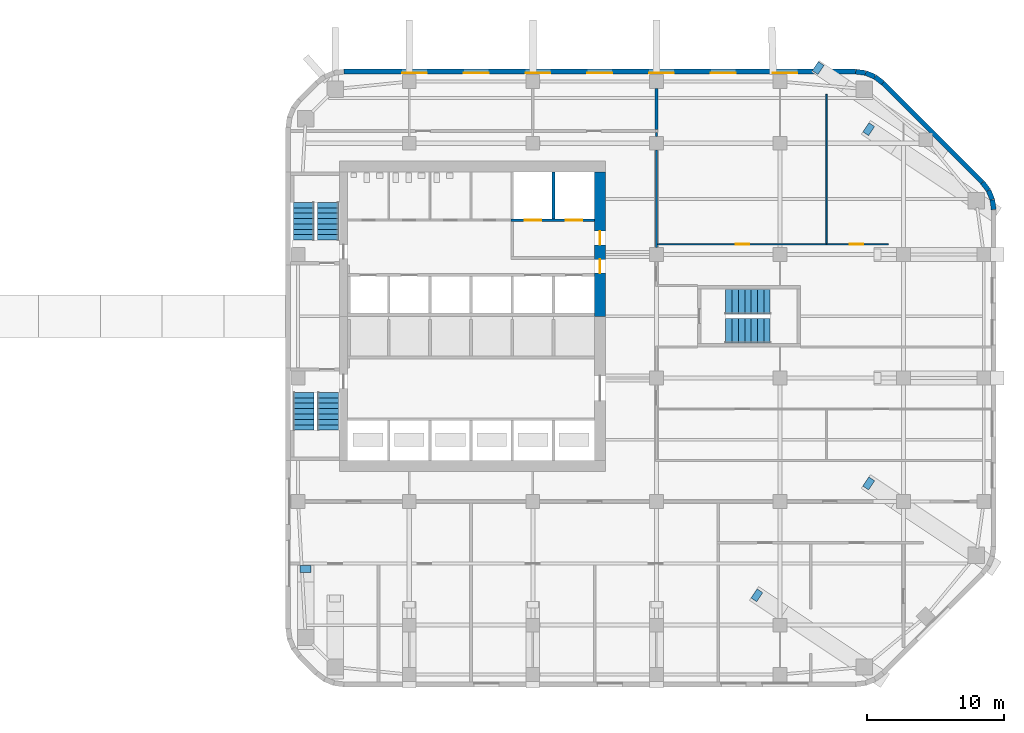
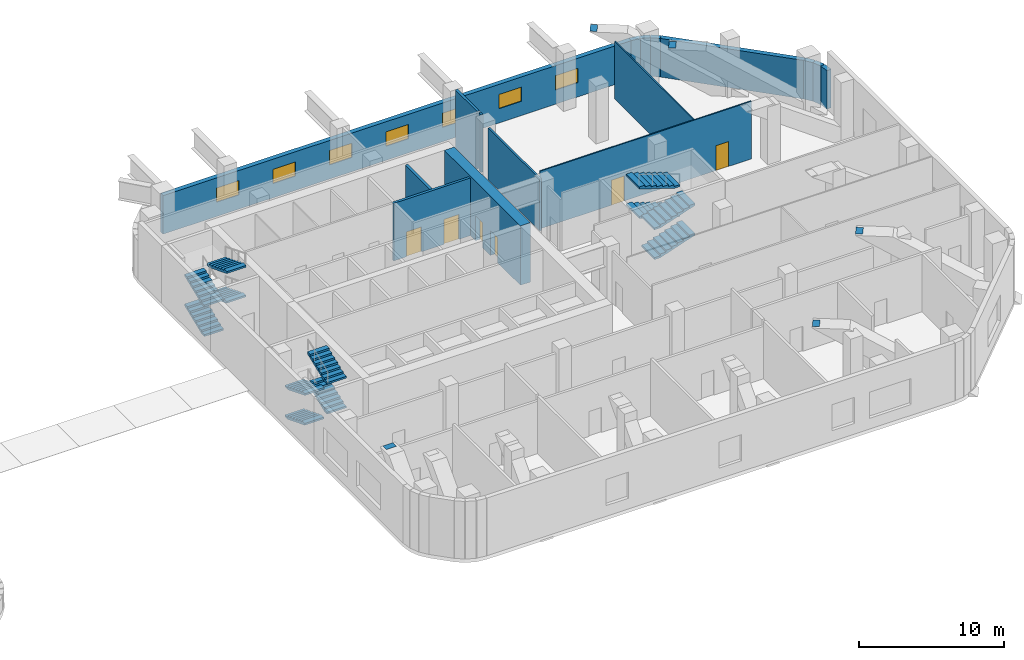
# One storey, part 7 of 11: 16 walls, 12 stair flights, 7 windows, 6 doors, 5 discrete accessories, 13 openings, 3 elements without a shape of their own.
"""IFC4 building model written with IfcOpenShell, lengths in metres."""

from ifc_helpers import new_model, si_unit, direction, frame, frame_2d, origin, origin_2d, place, context, subcontext, project, spatial, polyline, rectangle, outline, extrude, material, layer, layer_set, type_object, element, fill, aggregate, save


model = new_model("IFC4")

# Units and contexts
model_context = context("Model", 3, precision=1e-05, world=origin(), true_north=direction((0.0, 1.0)))
body_context = subcontext(model_context, "Body", "Model", "MODEL_VIEW")
ifc_project = project(units=[si_unit("LENGTHUNIT", "METRE"), si_unit("AREAUNIT", "SQUARE_METRE"), si_unit("VOLUMEUNIT", "CUBIC_METRE"), si_unit("PLANEANGLEUNIT", "RADIAN"), si_unit("MASSUNIT", "GRAM", prefix="KILO")], contexts=[model_context])

# Site, building, storey
site_placement = place(None, origin())
site = spatial("IfcSite", under=ifc_project, at=site_placement, CompositionType="ELEMENT")
building_placement = place(site_placement, origin())
building = spatial("IfcBuilding", under=site, at=building_placement, Name="Cinnabar Reach Civic Tower", CompositionType="ELEMENT")
storey_placement = place(building_placement, frame((0.0, 0.0, 144.0)))
storey = spatial("IfcBuildingStorey", under=building, at=storey_placement, Name="L34", CompositionType="ELEMENT", Elevation=144.0)

# Walls
ifc_material_1 = material(Name="Facing brick with insulated backing", Category="masonry")
ifc_layer_1 = layer(ifc_material_1, 0.36)
ifc_layer_set_1 = layer_set([ifc_layer_1], Name="Brick corner wall")
wall_type_1 = type_object("IfcWallType", Name="Brick corner wall", PredefinedType="STANDARD", material=ifc_layer_set_1)
for number, where, z_axis, x_axis, name in (
    (1, (51.567, 39.2686, 0.0), (0.0, 0.0, 1.0), (-0.13055608231, 0.99144092581, 0.0), "Brick corner wall"),
    (2, (51.4681, 39.9973, 0.0), (0.0, 0.0, 1.0), (-0.382702709855, 0.923871547278, 0.0), "Brick corner wall"),
):
    element("IfcWall", number, at=place(storey_placement, frame(where, z_axis=z_axis, x_axis=x_axis)), inside=storey, type_object=wall_type_1, Name=name, PredefinedType="STANDARD", context=body_context, shape_type="SweptSolid", body=[
        extrude(rectangle(XDim=0.7131, YDim=0.36, at=frame_2d((0.3565, 0.0))), origin(), (0.0, 0.0, 1.0), 3.25),
    ])
for number, where, z_axis, x_axis, name in (
    (3, (51.184, 40.6755, 0.0), (0.0, 0.0, 1.0), (-0.608802368033, 0.793321924995, 0.0), "Brick corner wall"),
    (4, (43.4913, 48.4998, 0.0), (0.0, 0.0, 1.0), (-0.793321924995, 0.608802368033, 0.0), "Brick corner wall"),
):
    element("IfcWall", number, at=place(storey_placement, frame(where, z_axis=z_axis, x_axis=x_axis)), inside=storey, type_object=wall_type_1, Name=name, PredefinedType="STANDARD", context=body_context, shape_type="SweptSolid", body=[
        extrude(rectangle(XDim=0.7132, YDim=0.36, at=frame_2d((0.3566, 0.0))), origin(), (0.0, 0.0, 1.0), 3.25),
    ])
for number, where, z_axis, x_axis, name in (
    (5, (42.9061, 48.9452, 0.0), (0.0, 0.0, 1.0), (-0.923871547278, 0.382702709855, 0.0), "Brick corner wall"),
    (6, (42.2256, 49.2239, 0.0), (0.0, 0.0, 1.0), (-0.99144092581, 0.13055608231, 0.0), "Brick corner wall"),
):
    element("IfcWall", number, at=place(storey_placement, frame(where, z_axis=z_axis, x_axis=x_axis)), inside=storey, type_object=wall_type_1, Name=name, PredefinedType="STANDARD", context=body_context, shape_type="SweptSolid", body=[
        extrude(rectangle(XDim=0.7131, YDim=0.36, at=frame_2d((0.3565, 0.0))), origin(), (0.0, 0.0, 1.0), 3.25),
    ])
ifc_layer_2 = layer(ifc_material_1, 0.36)
ifc_layer_set_2 = layer_set([ifc_layer_2], Name="Brick pier and spandrel wall")
wall_type_2 = type_object("IfcWallType", Name="Brick pier and spandrel wall", PredefinedType="STANDARD", material=ifc_layer_set_2)
wall_1_placement = place(storey_placement, frame((50.744, 41.2514, 0.0), z_axis=(0.0, 0.0, 1.0), x_axis=(-0.707106781187, 0.707106781187, 0.0)))
element("IfcWall", 7, at=wall_1_placement, inside=storey, type_object=wall_type_2, Name="Brick facade wall", PredefinedType="STANDARD", context=body_context, shape_type="SweptSolid", body=[
    extrude(rectangle(XDim=10.2426, YDim=0.36, at=frame_2d((5.1213, 0.0))), origin(), (0.0, 0.0, 1.0), 3.25),
])

# Wall, openings, windows
wall_2_placement = place(storey_placement, frame((41.5074, 49.32, 0.0), z_axis=(0.0, 0.0, 1.0), x_axis=(-1.0, 0.0, 0.0)))
wall_2 = element("IfcWall", 8, at=wall_2_placement, inside=storey, type_object=wall_type_2, Name="Brick facade wall", PredefinedType="STANDARD", context=body_context, shape_type="SweptSolid", body=[
    extrude(rectangle(XDim=37.2648, YDim=0.36, at=frame_2d((18.6324, 0.0))), origin(), (0.0, 0.0, 1.0), 3.25),
])
opening_1_placement = place(wall_2_placement, frame((4.2324, 0.0, 1.2)))
opening_1 = element("IfcOpeningElement", 9, at=opening_1_placement, cuts=wall_2, Name="Opening W1730", PredefinedType="OPENING", context=body_context, shape_type="SweptSolid", body=[
    extrude(rectangle(XDim=1.8, YDim=1.2, at=frame_2d((0.9, 0.6))), frame((0.0, 0.19, 0.0), z_axis=(0.0, -1.0, 0.0), x_axis=(1.0, 0.0, 0.0)), (0.0, 0.0, 1.0), 0.38),
])
opening_2_placement = place(wall_2_placement, frame((8.7324, 0.0, 1.2)))
opening_2 = element("IfcOpeningElement", 10, at=opening_2_placement, cuts=wall_2, Name="Opening W1731", PredefinedType="OPENING", context=body_context, shape_type="SweptSolid", body=[
    extrude(rectangle(XDim=1.8, YDim=1.2, at=frame_2d((0.9, 0.6))), frame((0.0, 0.19, 0.0), z_axis=(0.0, -1.0, 0.0), x_axis=(1.0, 0.0, 0.0)), (0.0, 0.0, 1.0), 0.38),
])
opening_3_placement = place(wall_2_placement, frame((13.2324, 0.0, 1.2)))
opening_3 = element("IfcOpeningElement", 11, at=opening_3_placement, cuts=wall_2, Name="Opening W1732", PredefinedType="OPENING", context=body_context, shape_type="SweptSolid", body=[
    extrude(rectangle(XDim=1.8, YDim=1.2, at=frame_2d((0.9, 0.6))), frame((0.0, 0.19, 0.0), z_axis=(0.0, -1.0, 0.0), x_axis=(1.0, 0.0, 0.0)), (0.0, 0.0, 1.0), 0.38),
])
opening_4_placement = place(wall_2_placement, frame((17.7324, 0.0, 1.2)))
opening_4 = element("IfcOpeningElement", 12, at=opening_4_placement, cuts=wall_2, Name="Opening W1733", PredefinedType="OPENING", context=body_context, shape_type="SweptSolid", body=[
    extrude(rectangle(XDim=1.8, YDim=1.2, at=frame_2d((0.9, 0.6))), frame((0.0, 0.19, 0.0), z_axis=(0.0, -1.0, 0.0), x_axis=(1.0, 0.0, 0.0)), (0.0, 0.0, 1.0), 0.38),
])
opening_5_placement = place(wall_2_placement, frame((22.2324, 0.0, 1.2)))
opening_5 = element("IfcOpeningElement", 13, at=opening_5_placement, cuts=wall_2, Name="Opening W1734", PredefinedType="OPENING", context=body_context, shape_type="SweptSolid", body=[
    extrude(rectangle(XDim=1.8, YDim=1.2, at=frame_2d((0.9, 0.6))), frame((0.0, 0.19, 0.0), z_axis=(0.0, -1.0, 0.0), x_axis=(1.0, 0.0, 0.0)), (0.0, 0.0, 1.0), 0.38),
])
opening_6_placement = place(wall_2_placement, frame((26.7324, 0.0, 1.2)))
opening_6 = element("IfcOpeningElement", 14, at=opening_6_placement, cuts=wall_2, Name="Opening W1735", PredefinedType="OPENING", context=body_context, shape_type="SweptSolid", body=[
    extrude(rectangle(XDim=1.8, YDim=1.2, at=frame_2d((0.9, 0.6))), frame((0.0, 0.19, 0.0), z_axis=(0.0, -1.0, 0.0), x_axis=(1.0, 0.0, 0.0)), (0.0, 0.0, 1.0), 0.38),
])
opening_7_placement = place(wall_2_placement, frame((31.2324, 0.0, 1.2)))
opening_7 = element("IfcOpeningElement", 15, at=opening_7_placement, cuts=wall_2, Name="Opening W1736", PredefinedType="OPENING", context=body_context, shape_type="SweptSolid", body=[
    extrude(rectangle(XDim=1.8, YDim=1.2, at=frame_2d((0.9, 0.6))), frame((0.0, 0.19, 0.0), z_axis=(0.0, -1.0, 0.0), x_axis=(1.0, 0.0, 0.0)), (0.0, 0.0, 1.0), 0.38),
])
ifc_material_2 = material(Name="Clear double glazing in aluminium frame", Category="aluminium")
window_type = type_object("IfcWindowType", Name="Deep-set window C", PartitioningType="SINGLE_PANEL", PredefinedType="WINDOW", material=ifc_material_2)
window_1_placement = place(opening_1_placement, origin())
window_1 = element("IfcWindow", 16, at=window_1_placement, inside=storey, type_object=window_type, Name="Window north face", OverallHeight=1.2, OverallWidth=1.8, PartitioningType="SINGLE_PANEL", PredefinedType="WINDOW", context=body_context, shape_type="SweptSolid", body=[
    extrude(rectangle(XDim=1.8, YDim=1.2, at=frame_2d((0.9, 0.6))), frame((0.0, 0.13, 0.0), z_axis=(0.0, -1.0, 0.0), x_axis=(1.0, 0.0, 0.0)), (0.0, 0.0, 1.0), 0.06),
])
fill(opening_1, window_1)
window_2_placement = place(opening_2_placement, origin())
window_2 = element("IfcWindow", 17, at=window_2_placement, inside=storey, type_object=window_type, Name="Window north face", OverallHeight=1.2, OverallWidth=1.8, PartitioningType="SINGLE_PANEL", PredefinedType="WINDOW", context=body_context, shape_type="SweptSolid", body=[
    extrude(rectangle(XDim=1.8, YDim=1.2, at=frame_2d((0.9, 0.6))), frame((0.0, 0.13, 0.0), z_axis=(0.0, -1.0, 0.0), x_axis=(1.0, 0.0, 0.0)), (0.0, 0.0, 1.0), 0.06),
])
fill(opening_2, window_2)
window_3_placement = place(opening_3_placement, origin())
window_3 = element("IfcWindow", 18, at=window_3_placement, inside=storey, type_object=window_type, Name="Window north face", OverallHeight=1.2, OverallWidth=1.8, PartitioningType="SINGLE_PANEL", PredefinedType="WINDOW", context=body_context, shape_type="SweptSolid", body=[
    extrude(rectangle(XDim=1.8, YDim=1.2, at=frame_2d((0.9, 0.6))), frame((0.0, 0.13, 0.0), z_axis=(0.0, -1.0, 0.0), x_axis=(1.0, 0.0, 0.0)), (0.0, 0.0, 1.0), 0.06),
])
fill(opening_3, window_3)
window_4_placement = place(opening_4_placement, origin())
window_4 = element("IfcWindow", 19, at=window_4_placement, inside=storey, type_object=window_type, Name="Window north face", OverallHeight=1.2, OverallWidth=1.8, PartitioningType="SINGLE_PANEL", PredefinedType="WINDOW", context=body_context, shape_type="SweptSolid", body=[
    extrude(rectangle(XDim=1.8, YDim=1.2, at=frame_2d((0.9, 0.6))), frame((0.0, 0.13, 0.0), z_axis=(0.0, -1.0, 0.0), x_axis=(1.0, 0.0, 0.0)), (0.0, 0.0, 1.0), 0.06),
])
fill(opening_4, window_4)
window_5_placement = place(opening_5_placement, origin())
window_5 = element("IfcWindow", 20, at=window_5_placement, inside=storey, type_object=window_type, Name="Window north face", OverallHeight=1.2, OverallWidth=1.8, PartitioningType="SINGLE_PANEL", PredefinedType="WINDOW", context=body_context, shape_type="SweptSolid", body=[
    extrude(rectangle(XDim=1.8, YDim=1.2, at=frame_2d((0.9, 0.6))), frame((0.0, 0.13, 0.0), z_axis=(0.0, -1.0, 0.0), x_axis=(1.0, 0.0, 0.0)), (0.0, 0.0, 1.0), 0.06),
])
fill(opening_5, window_5)
window_6_placement = place(opening_6_placement, origin())
window_6 = element("IfcWindow", 21, at=window_6_placement, inside=storey, type_object=window_type, Name="Window north face", OverallHeight=1.2, OverallWidth=1.8, PartitioningType="SINGLE_PANEL", PredefinedType="WINDOW", context=body_context, shape_type="SweptSolid", body=[
    extrude(rectangle(XDim=1.8, YDim=1.2, at=frame_2d((0.9, 0.6))), frame((0.0, 0.13, 0.0), z_axis=(0.0, -1.0, 0.0), x_axis=(1.0, 0.0, 0.0)), (0.0, 0.0, 1.0), 0.06),
])
fill(opening_6, window_6)
window_7_placement = place(opening_7_placement, origin())
window_7 = element("IfcWindow", 22, at=window_7_placement, inside=storey, type_object=window_type, Name="Window north face", OverallHeight=1.2, OverallWidth=1.8, PartitioningType="SINGLE_PANEL", PredefinedType="WINDOW", context=body_context, shape_type="SweptSolid", body=[
    extrude(rectangle(XDim=1.8, YDim=1.2, at=frame_2d((0.9, 0.6))), frame((0.0, 0.13, 0.0), z_axis=(0.0, -1.0, 0.0), x_axis=(1.0, 0.0, 0.0)), (0.0, 0.0, 1.0), 0.06),
])
fill(opening_7, window_7)

# Wall, openings, doors
ifc_material_3 = material(Name="Concrete C70", Category="concrete")
ifc_layer_3 = layer(ifc_material_3, 0.8)
ifc_layer_set_3 = layer_set([ifc_layer_3], Name="Core wall 800 EI 180")
wall_type_3 = type_object("IfcWallType", Name="Core wall 800 EI 180", PredefinedType="SOLIDWALL", material=ifc_layer_set_3)
wall_3_placement = place(storey_placement, frame((22.9, 31.5, 0.0), z_axis=(0.0, 0.0, 1.0), x_axis=(0.0, 1.0, 0.0)))
wall_3 = element("IfcWall", 23, at=wall_3_placement, inside=storey, type_object=wall_type_3, Name="Core wall T1 L34 E2", PredefinedType="SOLIDWALL", context=body_context, shape_type="SweptSolid", body=[
    extrude(rectangle(XDim=10.5, YDim=0.8, at=frame_2d((5.25, 0.0))), origin(), (0.0, 0.0, 1.0), 5.0),
])
opening_8_placement = place(wall_3_placement, frame((3.15, 0.0, 0.0)))
opening_8 = element("IfcOpeningElement", 24, at=opening_8_placement, cuts=wall_3, Name="Opening D4385", PredefinedType="OPENING", context=body_context, shape_type="SweptSolid", body=[
    extrude(rectangle(XDim=1.0, YDim=2.1, at=frame_2d((0.5, 1.05))), frame((0.0, 0.41, 0.0), z_axis=(0.0, -1.0, 0.0), x_axis=(1.0, 0.0, 0.0)), (0.0, 0.0, 1.0), 0.82),
])
opening_9_placement = place(wall_3_placement, frame((5.2, 0.0, 0.0)))
opening_9 = element("IfcOpeningElement", 25, at=opening_9_placement, cuts=wall_3, Name="Opening D4386", PredefinedType="OPENING", context=body_context, shape_type="SweptSolid", body=[
    extrude(rectangle(XDim=1.0, YDim=2.1, at=frame_2d((0.5, 1.05))), frame((0.0, 0.41, 0.0), z_axis=(0.0, -1.0, 0.0), x_axis=(1.0, 0.0, 0.0)), (0.0, 0.0, 1.0), 0.82),
])
ifc_material_4 = material(Name="Timber door leaf in steel frame", Category="steel")
door_type_1 = type_object("IfcDoorType", Name="Firefighting lobby door 1000 x 2100 T1", OperationType="SINGLE_SWING_LEFT", PredefinedType="DOOR", material=ifc_material_4)
door_1_placement = place(opening_9_placement, origin())
door_1 = element("IfcDoor", 26, at=door_1_placement, inside=storey, type_object=door_type_1, Name="Door D4386", OperationType="SINGLE_SWING_LEFT", OverallHeight=2.1, OverallWidth=1.0, PredefinedType="DOOR", context=body_context, shape_type="SweptSolid", body=[
    extrude(rectangle(XDim=1.0, YDim=2.1, at=frame_2d((0.5, 1.05))), frame((0.0, 0.025, 0.0), z_axis=(0.0, -1.0, 0.0), x_axis=(1.0, 0.0, 0.0)), (0.0, 0.0, 1.0), 0.05),
])
fill(opening_9, door_1)
door_type_2 = type_object("IfcDoorType", Name="Single swing door 1000 x 2100 T1", OperationType="SINGLE_SWING_LEFT", PredefinedType="DOOR", material=ifc_material_4)
door_2_placement = place(opening_8_placement, origin())
door_2 = element("IfcDoor", 27, at=door_2_placement, inside=storey, type_object=door_type_2, Name="Door D4385", OperationType="SINGLE_SWING_RIGHT", OverallHeight=2.1, OverallWidth=1.0, PredefinedType="DOOR", context=body_context, shape_type="SweptSolid", body=[
    extrude(rectangle(XDim=1.0, YDim=2.1, at=frame_2d((0.5, 1.05))), frame((0.0, 0.025, 0.0), z_axis=(0.0, -1.0, 0.0), x_axis=(1.0, 0.0, 0.0)), (0.0, 0.0, 1.0), 0.05),
])
fill(opening_8, door_2)

# Walls
ifc_material_5 = material(Name="Gypsum board on steel studs, double layer", Category="steel")
ifc_layer_4 = layer(ifc_material_5, 0.15)
ifc_layer_set_4 = layer_set([ifc_layer_4], Name="Corridor wall 150 T1")
wall_type_4 = type_object("IfcWallType", Name="Corridor wall 150 T1", PredefinedType="PARTITIONING", material=ifc_layer_set_4)
wall_4_placement = place(storey_placement, frame((27.0, 36.5, 0.0), z_axis=(0.0, 0.0, 1.0), x_axis=(0.0, 1.0, 0.0)))
element("IfcWall", 28, at=wall_4_placement, inside=storey, type_object=wall_type_4, Name="Corridor wall 50", PredefinedType="PARTITIONING", context=body_context, shape_type="SweptSolid", body=[
    extrude(rectangle(XDim=7.1, YDim=0.15, at=frame_2d((3.55, 0.0))), origin(), (0.0, 0.0, 1.0), 4.362),
])
wall_5_placement = place(storey_placement, frame((27.0, 44.6, 0.0), z_axis=(0.0, 0.0, 1.0), x_axis=(0.0, 1.0, 0.0)))
element("IfcWall", 29, at=wall_5_placement, inside=storey, type_object=wall_type_4, Name="Corridor wall 51", PredefinedType="PARTITIONING", context=body_context, shape_type="SweptSolid", body=[
    extrude(rectangle(XDim=0.3, YDim=0.15, at=frame_2d((0.15, 0.0))), origin(), (0.0, 0.0, 1.0), 4.85),
])
ifc_material_6 = material(Name="Blockwork", Category="masonry")
ifc_layer_5 = layer(ifc_material_6, 0.2)
ifc_layer_set_5 = layer_set([ifc_layer_5], Name="Lift shaft wall 200 T1")
wall_type_5 = type_object("IfcWallType", Name="Lift shaft wall 200 T1", PredefinedType="PARTITIONING", material=ifc_layer_set_5)
wall_6_placement = place(storey_placement, frame((19.5, 38.6, 0.0), z_axis=(0.0, 0.0, 1.0), x_axis=(0.0, 1.0, 0.0)))
element("IfcWall", 30, at=wall_6_placement, inside=storey, type_object=wall_type_5, Name="Lift shaft wall 41", PredefinedType="PARTITIONING", context=body_context, shape_type="SweptSolid", body=[
    extrude(rectangle(XDim=3.4, YDim=0.2, at=frame_2d((1.7, 0.0))), origin(), (0.0, 0.0, 1.0), 4.85),
])

# Wall, openings, doors
ifc_material_7 = material(Name="Gypsum board on steel studs", Category="steel")
ifc_layer_6 = layer(ifc_material_7, 0.1)
ifc_layer_set_6 = layer_set([ifc_layer_6], Name="Partition wall 100 T1")
wall_type_6 = type_object("IfcWallType", Name="Partition wall 100 T1", PredefinedType="PARTITIONING", material=ifc_layer_set_6)
wall_7_placement = place(storey_placement, frame((27.075, 36.75, 0.0), z_axis=(0.0, 0.0, 1.0), x_axis=(1.0, 0.0, 0.0)))
wall_7 = element("IfcWall", 31, at=wall_7_placement, inside=storey, type_object=wall_type_6, Name="Partition wall 61", PredefinedType="PARTITIONING", context=body_context, shape_type="SweptSolid", body=[
    extrude(rectangle(XDim=16.8162, YDim=0.1, at=frame_2d((8.4081, 0.0))), origin(), (0.0, 0.0, 1.0), 4.85),
])
opening_10_placement = place(wall_7_placement, frame((5.7, 0.0, 0.0)))
opening_10 = element("IfcOpeningElement", 32, at=opening_10_placement, cuts=wall_7, Name="Opening D4393", PredefinedType="OPENING", context=body_context, shape_type="SweptSolid", body=[
    extrude(rectangle(XDim=1.0, YDim=2.1, at=frame_2d((0.5, 1.05))), frame((0.0, 0.06, 0.0), z_axis=(0.0, -1.0, 0.0), x_axis=(1.0, 0.0, 0.0)), (0.0, 0.0, 1.0), 0.12),
])
opening_11_placement = place(wall_7_placement, frame((14.0, 0.0, 0.0)))
opening_11 = element("IfcOpeningElement", 33, at=opening_11_placement, cuts=wall_7, Name="Opening D4394", PredefinedType="OPENING", context=body_context, shape_type="SweptSolid", body=[
    extrude(rectangle(XDim=1.0, YDim=2.1, at=frame_2d((0.5, 1.05))), frame((0.0, 0.06, 0.0), z_axis=(0.0, -1.0, 0.0), x_axis=(1.0, 0.0, 0.0)), (0.0, 0.0, 1.0), 0.12),
])
door_type_3 = type_object("IfcDoorType", Name="Plant room door 1000 x 2100 T1", OperationType="SINGLE_SWING_LEFT", PredefinedType="DOOR", material=ifc_material_4)
door_3_placement = place(opening_10_placement, frame((1.0, 0.0, 0.0), z_axis=(0.0, 0.0, 1.0), x_axis=(-1.0, 0.0, 0.0)))
door_3 = element("IfcDoor", 34, at=door_3_placement, inside=storey, type_object=door_type_3, Name="Door D4393", OperationType="SINGLE_SWING_RIGHT", OverallHeight=2.1, OverallWidth=1.0, PredefinedType="DOOR", context=body_context, shape_type="SweptSolid", body=[
    extrude(rectangle(XDim=1.0, YDim=2.1, at=frame_2d((0.5, 1.05))), frame((0.0, 0.025, 0.0), z_axis=(0.0, -1.0, 0.0), x_axis=(1.0, 0.0, 0.0)), (0.0, 0.0, 1.0), 0.05),
])
fill(opening_10, door_3)
door_4_placement = place(opening_11_placement, frame((1.0, 0.0, 0.0), z_axis=(0.0, 0.0, 1.0), x_axis=(-1.0, 0.0, 0.0)))
door_4 = element("IfcDoor", 35, at=door_4_placement, inside=storey, type_object=door_type_3, Name="Door D4394", OperationType="SINGLE_SWING_RIGHT", OverallHeight=2.1, OverallWidth=1.0, PredefinedType="DOOR", context=body_context, shape_type="SweptSolid", body=[
    extrude(rectangle(XDim=1.0, YDim=2.1, at=frame_2d((0.5, 1.05))), frame((0.0, 0.025, 0.0), z_axis=(0.0, -1.0, 0.0), x_axis=(1.0, 0.0, 0.0)), (0.0, 0.0, 1.0), 0.05),
])
fill(opening_11, door_4)

# Wall
wall_8_placement = place(storey_placement, frame((39.375, 36.8, 0.0), z_axis=(0.0, 0.0, 1.0), x_axis=(0.0, 1.0, 0.0)))
element("IfcWall", 36, at=wall_8_placement, inside=storey, type_object=wall_type_6, Name="Partition wall 62", PredefinedType="PARTITIONING", context=body_context, shape_type="SweptSolid", body=[
    extrude(rectangle(XDim=10.8603, YDim=0.1, at=frame_2d((5.4302, 0.0))), origin(), (0.0, 0.0, 1.0), 4.85),
])

# Wall, openings, doors
ifc_material_8 = material(Name="Concrete C40", Category="concrete")
ifc_layer_7 = layer(ifc_material_8, 0.2)
ifc_layer_set_7 = layer_set([ifc_layer_7], Name="Refuge compartment wall 200 T1")
wall_type_7 = type_object("IfcWallType", Name="Refuge compartment wall 200 T1", PredefinedType="PARTITIONING", material=ifc_layer_set_7)
wall_9_placement = place(storey_placement, frame((16.4, 38.5, 0.0), z_axis=(0.0, 0.0, 1.0), x_axis=(1.0, 0.0, 0.0)))
wall_9 = element("IfcWall", 37, at=wall_9_placement, inside=storey, type_object=wall_type_7, Name="Refuge compartment wall 21", PredefinedType="PARTITIONING", context=body_context, shape_type="SweptSolid", body=[
    extrude(rectangle(XDim=6.1, YDim=0.2, at=frame_2d((3.05, 0.0))), origin(), (0.0, 0.0, 1.0), 4.85),
])
opening_12_placement = place(wall_9_placement, frame((1.0, 0.0, 0.0)))
opening_12 = element("IfcOpeningElement", 38, at=opening_12_placement, cuts=wall_9, Name="Opening D4382", PredefinedType="OPENING", context=body_context, shape_type="SweptSolid", body=[
    extrude(rectangle(XDim=1.2, YDim=2.1, at=frame_2d((0.6, 1.05))), frame((0.0, 0.11, 0.0), z_axis=(0.0, -1.0, 0.0), x_axis=(1.0, 0.0, 0.0)), (0.0, 0.0, 1.0), 0.22),
])
opening_13_placement = place(wall_9_placement, frame((4.0, 0.0, 0.0)))
opening_13 = element("IfcOpeningElement", 39, at=opening_13_placement, cuts=wall_9, Name="Opening D4383", PredefinedType="OPENING", context=body_context, shape_type="SweptSolid", body=[
    extrude(rectangle(XDim=1.2, YDim=2.1, at=frame_2d((0.6, 1.05))), frame((0.0, 0.11, 0.0), z_axis=(0.0, -1.0, 0.0), x_axis=(1.0, 0.0, 0.0)), (0.0, 0.0, 1.0), 0.22),
])
ifc_material_9 = material(Name="Stainless steel sliding door", Category="steel")
door_type_4 = type_object("IfcDoorType", Name="Firefighting lift landing door 1200 x 2100 T1", OperationType="SLIDING_TO_LEFT", PredefinedType="DOOR", material=ifc_material_9)
door_5_placement = place(opening_12_placement, origin())
door_5 = element("IfcDoor", 40, at=door_5_placement, inside=storey, type_object=door_type_4, Name="Lift landing door FF1 L34", OperationType="SLIDING_TO_LEFT", OverallHeight=2.1, OverallWidth=1.2, PredefinedType="DOOR", context=body_context, shape_type="SweptSolid", body=[
    extrude(rectangle(XDim=1.2, YDim=2.1, at=frame_2d((0.6, 1.05))), frame((0.0, 0.025, 0.0), z_axis=(0.0, -1.0, 0.0), x_axis=(1.0, 0.0, 0.0)), (0.0, 0.0, 1.0), 0.05),
])
fill(opening_12, door_5)
door_6_placement = place(opening_13_placement, origin())
door_6 = element("IfcDoor", 41, at=door_6_placement, inside=storey, type_object=door_type_4, Name="Lift landing door FF2 L34", OperationType="SLIDING_TO_LEFT", OverallHeight=2.1, OverallWidth=1.2, PredefinedType="DOOR", context=body_context, shape_type="SweptSolid", body=[
    extrude(rectangle(XDim=1.2, YDim=2.1, at=frame_2d((0.6, 1.05))), frame((0.0, 0.025, 0.0), z_axis=(0.0, -1.0, 0.0), x_axis=(1.0, 0.0, 0.0)), (0.0, 0.0, 1.0), 0.05),
])
fill(opening_13, door_6)

# Wall
wall_10_placement = place(storey_placement, frame((27.0, 45.1, 0.0), z_axis=(0.0, 0.0, 1.0), x_axis=(0.0, 1.0, 0.0)))
element("IfcWall", 42, at=wall_10_placement, inside=storey, type_object=wall_type_7, Name="Refuge compartment wall 23", PredefinedType="PARTITIONING", context=body_context, shape_type="SweptSolid", body=[
    extrude(rectangle(XDim=3.0, YDim=0.2, at=frame_2d((1.5, 0.0))), origin(), (0.0, 0.0, 1.0), 4.85),
])

# Stair, stair flights
ifc_material_10 = material(Name="Concrete C40/50", Category="concrete")
stair_type = type_object("IfcStairType", Name="T1 Exit stair, double return", PredefinedType="DOUBLE_RETURN_STAIR", material=ifc_material_10)
stair_1_placement = place(storey_placement, origin())
stair_1 = element("IfcStair", 43, at=stair_1_placement, inside=storey, type_object=stair_type, Name="Stair T1-S1", PredefinedType="DOUBLE_RETURN_STAIR")
stair_flight_type = type_object("IfcStairFlightType", Name="T1 Stair flight, concrete", PredefinedType="STRAIGHT", material=ifc_material_10)
stair_flight_1_placement = place(storey_placement, frame((1.3125, 25.95, 0.0), z_axis=(0.0, 0.0, 1.0), x_axis=(0.0, -1.0, 0.0)))
stair_flight_1 = element("IfcStairFlight", 44, at=stair_flight_1_placement, type_object=stair_flight_type, Name="T1-S1 flight 1", NumberOfRisers=8, NumberOfTreads=7, PredefinedType="STRAIGHT", RiserHeight=0.15625, TreadLength=0.392142857, context=body_context, shape_type="SweptSolid", body=[
    extrude(outline(polyline([(0.0, 0.0), (0.0, 0.1562), (0.3921, 0.1562), (0.3921, 0.3125), (0.7843, 0.3125), (0.7843, 0.4688), (1.1764, 0.4688), (1.1764, 0.625), (1.5686, 0.625), (1.5686, 0.7812), (1.9607, 0.7812), (1.9607, 0.9375), (2.3529, 0.9375), (2.3529, 1.0938), (2.745, 1.0938), (2.745, 1.25), (2.745, 0.9323), (0.4052, 0.0), (0.0, 0.0)])), frame((0.0, 0.7625, 0.0), z_axis=(0.0, -1.0, 0.0), x_axis=(1.0, 0.0, 0.0)), (0.0, 0.0, 1.0), 1.525),
])
stair_flight_2_placement = place(storey_placement, frame((3.0875, 23.205, 1.25), z_axis=(0.0, 0.0, 1.0), x_axis=(0.0, 1.0, 0.0)))
stair_flight_2 = element("IfcStairFlight", 45, at=stair_flight_2_placement, type_object=stair_flight_type, Name="T1-S1 flight 2", NumberOfRisers=8, NumberOfTreads=7, PredefinedType="STRAIGHT", RiserHeight=0.15625, TreadLength=0.392142857, context=body_context, shape_type="SweptSolid", body=[
    extrude(outline(polyline([(0.0, 0.0), (0.0, 0.1562), (0.3921, 0.1562), (0.3921, 0.3125), (0.7843, 0.3125), (0.7843, 0.4688), (1.1764, 0.4688), (1.1764, 0.625), (1.5686, 0.625), (1.5686, 0.7812), (1.9607, 0.7812), (1.9607, 0.9375), (2.3529, 0.9375), (2.3529, 1.0938), (2.745, 1.0938), (2.745, 1.25), (2.745, 0.9323), (0.4052, 0.0), (0.0, 0.0)])), frame((0.0, 0.7625, 0.0), z_axis=(0.0, -1.0, 0.0), x_axis=(1.0, 0.0, 0.0)), (0.0, 0.0, 1.0), 1.525),
])
stair_flight_3_placement = place(storey_placement, frame((1.3125, 25.95, 2.5), z_axis=(0.0, 0.0, 1.0), x_axis=(0.0, -1.0, 0.0)))
stair_flight_3 = element("IfcStairFlight", 46, at=stair_flight_3_placement, type_object=stair_flight_type, Name="T1-S1 flight 3", NumberOfRisers=8, NumberOfTreads=7, PredefinedType="STRAIGHT", RiserHeight=0.15625, TreadLength=0.392142857, context=body_context, shape_type="SweptSolid", body=[
    extrude(outline(polyline([(0.0, 0.0), (0.0, 0.1562), (0.3921, 0.1562), (0.3921, 0.3125), (0.7843, 0.3125), (0.7843, 0.4688), (1.1764, 0.4688), (1.1764, 0.625), (1.5686, 0.625), (1.5686, 0.7812), (1.9607, 0.7812), (1.9607, 0.9375), (2.3529, 0.9375), (2.3529, 1.0938), (2.745, 1.0938), (2.745, 1.25), (2.745, 0.9323), (0.4052, 0.0), (0.0, 0.0)])), frame((0.0, 0.7625, 0.0), z_axis=(0.0, -1.0, 0.0), x_axis=(1.0, 0.0, 0.0)), (0.0, 0.0, 1.0), 1.525),
])
stair_flight_4_placement = place(storey_placement, frame((3.0875, 23.205, 3.75), z_axis=(0.0, 0.0, 1.0), x_axis=(0.0, 1.0, 0.0)))
stair_flight_4 = element("IfcStairFlight", 47, at=stair_flight_4_placement, type_object=stair_flight_type, Name="T1-S1 flight 4", NumberOfRisers=8, NumberOfTreads=7, PredefinedType="STRAIGHT", RiserHeight=0.15625, TreadLength=0.392142857, context=body_context, shape_type="SweptSolid", body=[
    extrude(outline(polyline([(0.0, 0.0), (0.0, 0.1562), (0.3921, 0.1562), (0.3921, 0.3125), (0.7843, 0.3125), (0.7843, 0.4688), (1.1764, 0.4688), (1.1764, 0.625), (1.5686, 0.625), (1.5686, 0.7812), (1.9607, 0.7812), (1.9607, 0.9375), (2.3529, 0.9375), (2.3529, 1.0938), (2.745, 1.0938), (2.745, 1.25), (2.745, 0.9323), (0.4052, 0.0), (0.0, 0.0)])), frame((0.0, 0.7625, 0.0), z_axis=(0.0, -1.0, 0.0), x_axis=(1.0, 0.0, 0.0)), (0.0, 0.0, 1.0), 1.525),
])
aggregate(stair_1, [stair_flight_1, stair_flight_2, stair_flight_3, stair_flight_4])

stair_2_placement = place(storey_placement, origin())
stair_2 = element("IfcStair", 48, at=stair_2_placement, inside=storey, type_object=stair_type, Name="Stair T1-S2", PredefinedType="DOUBLE_RETURN_STAIR")
stair_flight_5_placement = place(storey_placement, frame((1.3125, 37.05, 0.0), z_axis=(0.0, 0.0, 1.0), x_axis=(0.0, 1.0, 0.0)))
stair_flight_5 = element("IfcStairFlight", 49, at=stair_flight_5_placement, type_object=stair_flight_type, Name="T1-S2 flight 1", NumberOfRisers=8, NumberOfTreads=7, PredefinedType="STRAIGHT", RiserHeight=0.15625, TreadLength=0.392142857, context=body_context, shape_type="SweptSolid", body=[
    extrude(outline(polyline([(0.0, 0.0), (0.0, 0.1562), (0.3921, 0.1562), (0.3921, 0.3125), (0.7843, 0.3125), (0.7843, 0.4688), (1.1764, 0.4688), (1.1764, 0.625), (1.5686, 0.625), (1.5686, 0.7812), (1.9607, 0.7812), (1.9607, 0.9375), (2.3529, 0.9375), (2.3529, 1.0938), (2.745, 1.0938), (2.745, 1.25), (2.745, 0.9323), (0.4052, 0.0), (0.0, 0.0)])), frame((0.0, 0.7625, 0.0), z_axis=(0.0, -1.0, 0.0), x_axis=(1.0, 0.0, 0.0)), (0.0, 0.0, 1.0), 1.525),
])
stair_flight_6_placement = place(storey_placement, frame((3.0875, 39.795, 1.25), z_axis=(0.0, 0.0, 1.0), x_axis=(0.0, -1.0, 0.0)))
stair_flight_6 = element("IfcStairFlight", 50, at=stair_flight_6_placement, type_object=stair_flight_type, Name="T1-S2 flight 2", NumberOfRisers=8, NumberOfTreads=7, PredefinedType="STRAIGHT", RiserHeight=0.15625, TreadLength=0.392142857, context=body_context, shape_type="SweptSolid", body=[
    extrude(outline(polyline([(0.0, 0.0), (0.0, 0.1562), (0.3921, 0.1562), (0.3921, 0.3125), (0.7843, 0.3125), (0.7843, 0.4688), (1.1764, 0.4688), (1.1764, 0.625), (1.5686, 0.625), (1.5686, 0.7812), (1.9607, 0.7812), (1.9607, 0.9375), (2.3529, 0.9375), (2.3529, 1.0938), (2.745, 1.0938), (2.745, 1.25), (2.745, 0.9323), (0.4052, 0.0), (0.0, 0.0)])), frame((0.0, 0.7625, 0.0), z_axis=(0.0, -1.0, 0.0), x_axis=(1.0, 0.0, 0.0)), (0.0, 0.0, 1.0), 1.525),
])
stair_flight_7_placement = place(storey_placement, frame((1.3125, 37.05, 2.5), z_axis=(0.0, 0.0, 1.0), x_axis=(0.0, 1.0, 0.0)))
stair_flight_7 = element("IfcStairFlight", 51, at=stair_flight_7_placement, type_object=stair_flight_type, Name="T1-S2 flight 3", NumberOfRisers=8, NumberOfTreads=7, PredefinedType="STRAIGHT", RiserHeight=0.15625, TreadLength=0.392142857, context=body_context, shape_type="SweptSolid", body=[
    extrude(outline(polyline([(0.0, 0.0), (0.0, 0.1562), (0.3921, 0.1562), (0.3921, 0.3125), (0.7843, 0.3125), (0.7843, 0.4688), (1.1764, 0.4688), (1.1764, 0.625), (1.5686, 0.625), (1.5686, 0.7812), (1.9607, 0.7812), (1.9607, 0.9375), (2.3529, 0.9375), (2.3529, 1.0938), (2.745, 1.0938), (2.745, 1.25), (2.745, 0.9323), (0.4052, 0.0), (0.0, 0.0)])), frame((0.0, 0.7625, 0.0), z_axis=(0.0, -1.0, 0.0), x_axis=(1.0, 0.0, 0.0)), (0.0, 0.0, 1.0), 1.525),
])
stair_flight_8_placement = place(storey_placement, frame((3.0875, 39.795, 3.75), z_axis=(0.0, 0.0, 1.0), x_axis=(0.0, -1.0, 0.0)))
stair_flight_8 = element("IfcStairFlight", 52, at=stair_flight_8_placement, type_object=stair_flight_type, Name="T1-S2 flight 4", NumberOfRisers=8, NumberOfTreads=7, PredefinedType="STRAIGHT", RiserHeight=0.15625, TreadLength=0.392142857, context=body_context, shape_type="SweptSolid", body=[
    extrude(outline(polyline([(0.0, 0.0), (0.0, 0.1562), (0.3921, 0.1562), (0.3921, 0.3125), (0.7843, 0.3125), (0.7843, 0.4688), (1.1764, 0.4688), (1.1764, 0.625), (1.5686, 0.625), (1.5686, 0.7812), (1.9607, 0.7812), (1.9607, 0.9375), (2.3529, 0.9375), (2.3529, 1.0938), (2.745, 1.0938), (2.745, 1.25), (2.745, 0.9323), (0.4052, 0.0), (0.0, 0.0)])), frame((0.0, 0.7625, 0.0), z_axis=(0.0, -1.0, 0.0), x_axis=(1.0, 0.0, 0.0)), (0.0, 0.0, 1.0), 1.525),
])
aggregate(stair_2, [stair_flight_5, stair_flight_6, stair_flight_7, stair_flight_8])

stair_3_placement = place(storey_placement, origin())
stair_3 = element("IfcStair", 53, at=stair_3_placement, inside=storey, type_object=stair_type, Name="Stair T1-S3", PredefinedType="DOUBLE_RETURN_STAIR")
stair_flight_9_placement = place(storey_placement, frame((32.05, 30.45, 0.0), z_axis=(0.0, 0.0, 1.0), x_axis=(1.0, 0.0, 0.0)))
stair_flight_9 = element("IfcStairFlight", 54, at=stair_flight_9_placement, type_object=stair_flight_type, Name="T1-S3 flight 1", NumberOfRisers=8, NumberOfTreads=7, PredefinedType="STRAIGHT", RiserHeight=0.15625, TreadLength=0.462857143, context=body_context, shape_type="SweptSolid", body=[
    extrude(outline(polyline([(0.0, 0.0), (0.0, 0.1562), (0.4629, 0.1562), (0.4629, 0.3125), (0.9257, 0.3125), (0.9257, 0.4688), (1.3886, 0.4688), (1.3886, 0.625), (1.8514, 0.625), (1.8514, 0.7812), (2.3143, 0.7812), (2.3143, 0.9375), (2.7771, 0.9375), (2.7771, 1.0938), (3.24, 1.0938), (3.24, 1.25), (3.24, 0.9354), (0.469, 0.0), (0.0, 0.0)])), frame((0.0, 0.9, 0.0), z_axis=(0.0, -1.0, 0.0), x_axis=(1.0, 0.0, 0.0)), (0.0, 0.0, 1.0), 1.8),
])
stair_flight_10_placement = place(storey_placement, frame((35.29, 32.55, 1.25), z_axis=(0.0, 0.0, 1.0), x_axis=(-1.0, 0.0, 0.0)))
stair_flight_10 = element("IfcStairFlight", 55, at=stair_flight_10_placement, type_object=stair_flight_type, Name="T1-S3 flight 2", NumberOfRisers=8, NumberOfTreads=7, PredefinedType="STRAIGHT", RiserHeight=0.15625, TreadLength=0.462857143, context=body_context, shape_type="SweptSolid", body=[
    extrude(outline(polyline([(0.0, 0.0), (0.0, 0.1562), (0.4629, 0.1562), (0.4629, 0.3125), (0.9257, 0.3125), (0.9257, 0.4688), (1.3886, 0.4688), (1.3886, 0.625), (1.8514, 0.625), (1.8514, 0.7812), (2.3143, 0.7812), (2.3143, 0.9375), (2.7771, 0.9375), (2.7771, 1.0938), (3.24, 1.0938), (3.24, 1.25), (3.24, 0.9354), (0.469, 0.0), (0.0, 0.0)])), frame((0.0, 0.9, 0.0), z_axis=(0.0, -1.0, 0.0), x_axis=(1.0, 0.0, 0.0)), (0.0, 0.0, 1.0), 1.8),
])
stair_flight_11_placement = place(storey_placement, frame((32.05, 30.45, 2.5), z_axis=(0.0, 0.0, 1.0), x_axis=(1.0, 0.0, 0.0)))
stair_flight_11 = element("IfcStairFlight", 56, at=stair_flight_11_placement, type_object=stair_flight_type, Name="T1-S3 flight 3", NumberOfRisers=8, NumberOfTreads=7, PredefinedType="STRAIGHT", RiserHeight=0.15625, TreadLength=0.462857143, context=body_context, shape_type="SweptSolid", body=[
    extrude(outline(polyline([(0.0, 0.0), (0.0, 0.1562), (0.4629, 0.1562), (0.4629, 0.3125), (0.9257, 0.3125), (0.9257, 0.4688), (1.3886, 0.4688), (1.3886, 0.625), (1.8514, 0.625), (1.8514, 0.7812), (2.3143, 0.7812), (2.3143, 0.9375), (2.7771, 0.9375), (2.7771, 1.0938), (3.24, 1.0938), (3.24, 1.25), (3.24, 0.9354), (0.469, 0.0), (0.0, 0.0)])), frame((0.0, 0.9, 0.0), z_axis=(0.0, -1.0, 0.0), x_axis=(1.0, 0.0, 0.0)), (0.0, 0.0, 1.0), 1.8),
])
stair_flight_12_placement = place(storey_placement, frame((35.29, 32.55, 3.75), z_axis=(0.0, 0.0, 1.0), x_axis=(-1.0, 0.0, 0.0)))
stair_flight_12 = element("IfcStairFlight", 57, at=stair_flight_12_placement, type_object=stair_flight_type, Name="T1-S3 flight 4", NumberOfRisers=8, NumberOfTreads=7, PredefinedType="STRAIGHT", RiserHeight=0.15625, TreadLength=0.462857143, context=body_context, shape_type="SweptSolid", body=[
    extrude(outline(polyline([(0.0, 0.0), (0.0, 0.1562), (0.4629, 0.1562), (0.4629, 0.3125), (0.9257, 0.3125), (0.9257, 0.4688), (1.3886, 0.4688), (1.3886, 0.625), (1.8514, 0.625), (1.8514, 0.7812), (2.3143, 0.7812), (2.3143, 0.9375), (2.7771, 0.9375), (2.7771, 1.0938), (3.24, 1.0938), (3.24, 1.25), (3.24, 0.9354), (0.469, 0.0), (0.0, 0.0)])), frame((0.0, 0.9, 0.0), z_axis=(0.0, -1.0, 0.0), x_axis=(1.0, 0.0, 0.0)), (0.0, 0.0, 1.0), 1.8),
])
aggregate(stair_3, [stair_flight_9, stair_flight_10, stair_flight_11, stair_flight_12])

# Discrete accessories
ifc_material_11 = material(Name="Steel Q355B", Category="steel")
discrete_accessory_type = type_object("IfcDiscreteAccessoryType", Name="Raked column head plate", PredefinedType="USERDEFINED", material=ifc_material_11)
for number, where, z_axis, x_axis, name in (
    (58, (34.3157, 11.1747, 4.98), (0.0, 0.0, 1.0), (-0.83205094808, 0.554699215611, 0.0), "Raked column head plate"),
    (59, (42.4645, 19.3235, 4.98), (0.0, 0.0, 1.0), (-0.83205094808, 0.554699215611, 0.0), "Raked column head plate"),
    (60, (42.4645, 45.1197, 4.98), (0.0, 0.0, 1.0), (-0.83205094808, 0.554699215611, 0.0), "Raked column head plate"),
    (61, (1.4531, 13.0911, 4.98), (0.0, 0.0, 1.0), (0.0, 1.0, 0.0), "Raked column head plate"),
    (62, (38.7812, 49.5852, 4.98), (0.0, 0.0, 1.0), (-0.83205094808, 0.554699215611, 0.0), "Raked column head plate"),
):
    element("IfcDiscreteAccessory", number, at=place(storey_placement, frame(where, z_axis=z_axis, x_axis=x_axis)), inside=storey, type_object=discrete_accessory_type, Name=name, ObjectType="HEAD PLATE", PredefinedType="USERDEFINED", context=body_context, shape_type="SweptSolid", body=[
        extrude(rectangle(XDim=0.5, YDim=0.8, at=origin_2d()), origin(), (0.0, 0.0, 1.0), 0.02),
    ])

save(model, "model.ifc")
